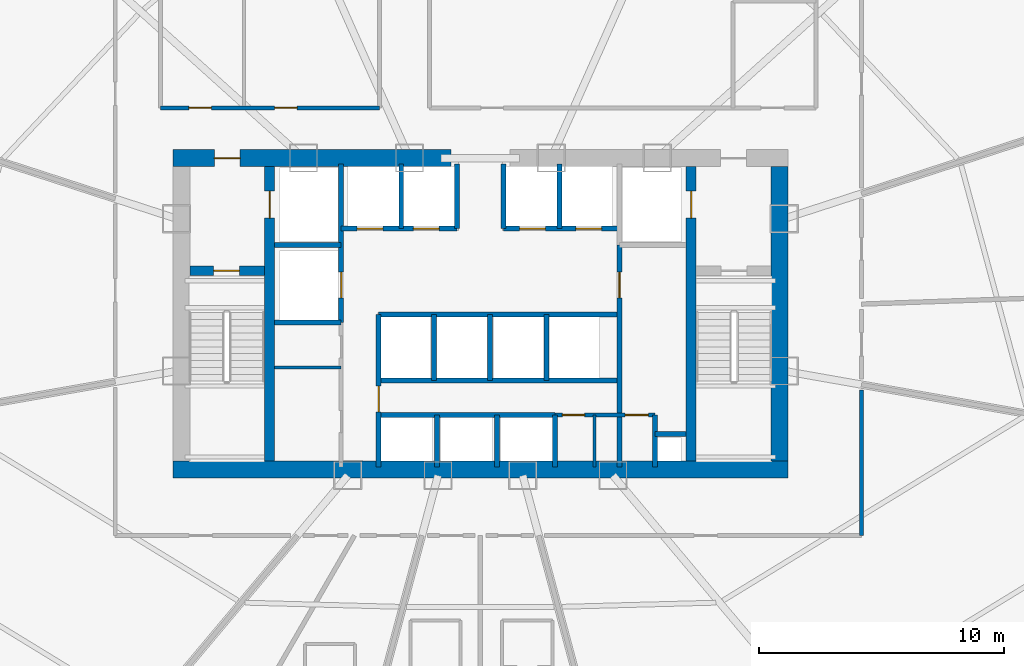
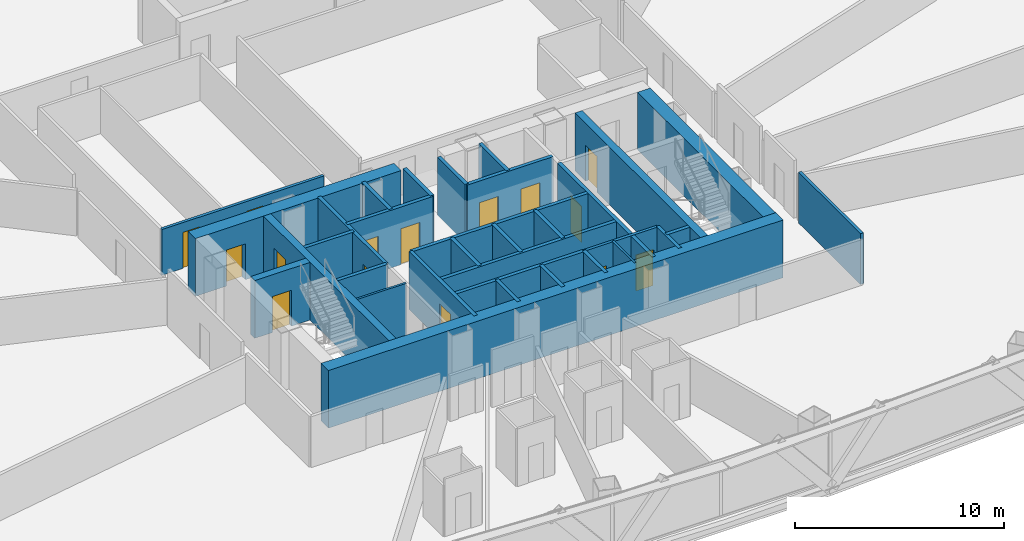
# One storey, part 34 of 41: 33 walls, 15 doors, 15 openings.
"""IFC4 building model written with IfcOpenShell, lengths in metres."""

from ifc_helpers import new_model, si_unit, direction, frame, frame_2d, origin, origin_with_axes, place, context, subcontext, project, spatial, rectangle, extrude, source, transform, mapped, material, layer, layer_set, type_object, element, fill, save


model = new_model("IFC4")

# Units and contexts
model_context = context("Model", 3, precision=1e-05, world=origin(), true_north=direction((0.0, 1.0)))
body_context = subcontext(model_context, "Body", "Model", "MODEL_VIEW")
ifc_project = project(units=[si_unit("LENGTHUNIT", "METRE"), si_unit("AREAUNIT", "SQUARE_METRE"), si_unit("VOLUMEUNIT", "CUBIC_METRE"), si_unit("PLANEANGLEUNIT", "RADIAN"), si_unit("MASSUNIT", "GRAM", prefix="KILO"), si_unit("THERMODYNAMICTEMPERATUREUNIT", "KELVIN"), si_unit("POWERUNIT", "WATT")], contexts=[model_context])

# Site, building, storey
site_placement = place(None, origin())
site = spatial("IfcSite", under=ifc_project, at=site_placement, CompositionType="ELEMENT")
building_placement = place(site_placement, origin())
building = spatial("IfcBuilding", under=site, at=building_placement, Name="Yunzhuo Pagoda Commons", CompositionType="ELEMENT")
storey_placement = place(building_placement, frame((0.0, 0.0, 63.070068359375)))
storey = spatial("IfcBuildingStorey", under=building, at=storey_placement, Name="L16", CompositionType="ELEMENT", Elevation=63.070068359375)

# Wall
ifc_material_1 = material(Name="Concrete C60", Category="concrete")
ifc_layer_1 = layer(ifc_material_1, 0.699951171875)
ifc_layer_set_1 = layer_set([ifc_layer_1], Name="Concrete C60")
wall_type_1 = type_object("IfcWallType", Name="W-C01 Lower Core Shear Wall 700", PredefinedType="SHEAR", material=ifc_layer_set_1)
wall_1_placement = place(storey_placement, frame((35.449951171875, 27.5, 0.0), z_axis=(0.0, 0.0, 1.0), x_axis=(1.0, 0.0, 0.0)))
element("IfcWall", 1, at=wall_1_placement, inside=storey, type_object=wall_type_1, Name="L16 core shear wall S", PredefinedType="SHEAR", context=body_context, shape_type="SweptSolid", body=[
    extrude(rectangle(XDim=25.10009765625, YDim=0.699951171875, at=frame_2d((12.550048828125, 0.0))), origin(), (0.0, 0.0, 1.0), 3.369873046875),
])

# Wall, opening, door
wall_2_placement = place(storey_placement, frame((35.449951171875, 40.199951171875, 0.0), z_axis=(0.0, 0.0, 1.0), x_axis=(1.0, 0.0, 0.0)))
wall_2 = element("IfcWall", 2, at=wall_2_placement, inside=storey, type_object=wall_type_1, Name="L16 core shear wall NW", PredefinedType="SHEAR", context=body_context, shape_type="SweptSolid", body=[
    extrude(rectangle(XDim=11.35009765625, YDim=0.699951171875, at=frame_2d((5.675048828125, 0.0))), origin(), (0.0, 0.0, 1.0), 3.369873046875),
])
opening_1_placement = place(wall_2_placement, frame((1.699951171875, 0.0, 0.0)))
opening_1 = element("IfcOpeningElement", 3, at=opening_1_placement, cuts=wall_2, Name="Opening D-02", PredefinedType="OPENING", context=body_context, shape_type="SweptSolid", body=[
    extrude(rectangle(XDim=1.050048828125, YDim=2.10009765625, at=frame_2d((0.52490234375, 1.050048828125))), frame((0.0, 0.35986328125, 0.0), z_axis=(0.0, -1.0, 0.0), x_axis=(1.0, 0.0, 0.0)), (0.0, 0.0, 1.0), 0.719970703125),
])
ifc_material_2 = material(Name="Galvanized fire-resisting metal leaf")
door_type_1 = type_object("IfcDoorType", Name="D-02 Firefighting Lobby & Refuge Fire Door 1050x2100", OperationType="NOTDEFINED", PredefinedType="DOOR", material=ifc_material_2)
shared_shape_1 = source(origin(), body_context, "Body", "SweptSolid", [
    extrude(rectangle(XDim=1.050048828125, YDim=2.10009765625, at=frame_2d((0.52490234375, 1.050048828125))), frame((0.0, 0.02490234375, 0.0), z_axis=(0.0, -1.0, 0.0), x_axis=(1.0, 0.0, 0.0)), (0.0, 0.0, 1.0), 0.050048828125),
])
door_1_placement = place(opening_1_placement, frame((1.050048828125, 0.0, 0.0), z_axis=(0.0, 0.0, 1.0), x_axis=(-1.0, 0.0, 0.0)))
door_1 = element("IfcDoor", 4, at=door_1_placement, inside=storey, type_object=door_type_1, Name="L16 Firefighting Lobby 1 fire door", OperationType="SINGLE_SWING_LEFT", OverallHeight=2.10009765625, OverallWidth=1.050048828125, PredefinedType="DOOR", context=body_context, shape_type="MappedRepresentation", body=[
    mapped(shared_shape_1, transform((0.0, 0.0, 0.0), scale=1.0)),
])
fill(opening_1, door_1)

# Wall
wall_3_placement = place(storey_placement, frame((60.199951171875, 27.85009765625, 0.0), z_axis=(0.0, 0.0, 1.0), x_axis=(0.0, 1.0, 0.0)))
element("IfcWall", 5, at=wall_3_placement, inside=storey, type_object=wall_type_1, Name="L16 core shear wall E", PredefinedType="SHEAR", context=body_context, shape_type="SweptSolid", body=[
    extrude(rectangle(XDim=12.0, YDim=0.699951171875, at=frame_2d((6.0, 0.0))), origin(), (0.0, 0.0, 1.0), 3.369873046875),
])

# Wall, openings, doors
ifc_material_3 = material(Name="Gypsum plasterboard on acoustic stud")
ifc_layer_2 = layer(ifc_material_3, 0.159912109375)
ifc_layer_set_2 = layer_set([ifc_layer_2], Name="Gypsum plasterboard on acoustic stud")
wall_type_2 = type_object("IfcWallType", Name="W-COR1 Tower Rated Corridor Wall 160", PredefinedType="PARTITIONING", material=ifc_layer_set_2)
wall_4_placement = place(storey_placement, frame((51.050048828125, 29.719970703125, 0.0), z_axis=(0.0, 0.0, 1.0), x_axis=(1.0, 0.0, 0.0)))
wall_4 = element("IfcWall", 6, at=wall_4_placement, inside=storey, type_object=wall_type_2, Name="L16 interior wall IW-L16-CSES", PredefinedType="PARTITIONING", context=body_context, shape_type="SweptSolid", body=[
    extrude(rectangle(XDim=4.070068359375, YDim=0.159912109375, at=frame_2d((2.03515625, 0.0))), origin(), (0.0, 0.0, 1.0), 3.369873046875),
])
opening_2_placement = place(wall_4_placement, frame((0.300048828125, 0.0, 0.0)))
opening_2 = element("IfcOpeningElement", 7, at=opening_2_placement, cuts=wall_4, Name="Opening D-03", PredefinedType="OPENING", context=body_context, shape_type="SweptSolid", body=[
    extrude(rectangle(XDim=0.89990234375, YDim=2.10009765625, at=frame_2d((0.449951171875, 1.050048828125))), frame((0.0, 0.08984375, 0.0), z_axis=(0.0, -1.0, 0.0), x_axis=(1.0, 0.0, 0.0)), (0.0, 0.0, 1.0), 0.179931640625),
])
opening_3_placement = place(wall_4_placement, frame((2.860107421875, 0.0, 0.0)))
opening_3 = element("IfcOpeningElement", 8, at=opening_3_placement, cuts=wall_4, Name="Opening D-11", PredefinedType="OPENING", context=body_context, shape_type="SweptSolid", body=[
    extrude(rectangle(XDim=0.93994140625, YDim=2.10009765625, at=frame_2d((0.469970703125, 1.050048828125))), frame((0.0, 0.08984375, 0.0), z_axis=(0.0, -1.0, 0.0), x_axis=(1.0, 0.0, 0.0)), (0.0, 0.0, 1.0), 0.179931640625),
])
door_type_2 = type_object("IfcDoorType", Name="D-03 Core Service Fire Door 900x2100", OperationType="NOTDEFINED", PredefinedType="DOOR", material=ifc_material_2)
shared_shape_2 = source(origin(), body_context, "Body", "SweptSolid", [
    extrude(rectangle(XDim=0.89990234375, YDim=2.10009765625, at=frame_2d((0.449951171875, 1.050048828125))), frame((0.0, 0.02490234375, 0.0), z_axis=(0.0, -1.0, 0.0), x_axis=(1.0, 0.0, 0.0)), (0.0, 0.0, 1.0), 0.050048828125),
])
door_2_placement = place(opening_2_placement, origin_with_axes())
door_2 = element("IfcDoor", 9, at=door_2_placement, inside=storey, type_object=door_type_2, Name="L16 cleaner door", OperationType="SINGLE_SWING_LEFT", OverallHeight=2.10009765625, OverallWidth=0.89990234375, PredefinedType="DOOR", context=body_context, shape_type="MappedRepresentation", body=[
    mapped(shared_shape_2, transform((0.0, 0.0, 0.0), scale=1.0)),
])
fill(opening_2, door_2)
door_type_3 = type_object("IfcDoorType", Name="D-11 Accessible Washroom Fire Door 940x2100", OperationType="NOTDEFINED", PredefinedType="DOOR", material=ifc_material_2)
shared_shape_3 = source(origin(), body_context, "Body", "SweptSolid", [
    extrude(rectangle(XDim=0.93994140625, YDim=2.10009765625, at=frame_2d((0.469970703125, 1.050048828125))), frame((0.0, 0.02490234375, 0.0), z_axis=(0.0, -1.0, 0.0), x_axis=(1.0, 0.0, 0.0)), (0.0, 0.0, 1.0), 0.050048828125),
])
door_3_placement = place(opening_3_placement, origin_with_axes())
door_3 = element("IfcDoor", 10, at=door_3_placement, inside=storey, type_object=door_type_3, Name="L16 core WC door", OperationType="SINGLE_SWING_RIGHT", OverallHeight=2.10009765625, OverallWidth=0.93994140625, PredefinedType="DOOR", context=body_context, shape_type="MappedRepresentation", body=[
    mapped(shared_shape_3, transform((0.0, 0.0, 0.0), scale=1.0)),
])
fill(opening_3, door_3)

wall_5_placement = place(storey_placement, frame((34.949951171875, 42.25, 0.0), z_axis=(0.0, 0.0, 1.0), x_axis=(1.0, 0.0, 0.0)))
wall_5 = element("IfcWall", 11, at=wall_5_placement, inside=storey, type_object=wall_type_2, Name="L16 interior wall IW-L16-ISLWS", PredefinedType="PARTITIONING", context=body_context, shape_type="SweptSolid", body=[
    extrude(rectangle(XDim=8.929931640625, YDim=0.159912109375, at=frame_2d((4.46484375, 0.0))), origin(), (0.0, 0.0, 1.0), 2.669921875),
])
opening_4_placement = place(wall_5_placement, frame((1.14990234375, 0.0, 0.0)))
opening_4 = element("IfcOpeningElement", 12, at=opening_4_placement, cuts=wall_5, Name="Opening D-04", PredefinedType="OPENING", context=body_context, shape_type="SweptSolid", body=[
    extrude(rectangle(XDim=0.919921875, YDim=2.10009765625, at=frame_2d((0.4599609375, 1.050048828125))), frame((0.0, 0.08984375, 0.0), z_axis=(0.0, -1.0, 0.0), x_axis=(1.0, 0.0, 0.0)), (0.0, 0.0, 1.0), 0.179931640625),
])
opening_5_placement = place(wall_5_placement, frame((4.64990234375, 0.0, 0.0)))
opening_5 = element("IfcOpeningElement", 13, at=opening_5_placement, cuts=wall_5, Name="Opening D-04", PredefinedType="OPENING", context=body_context, shape_type="SweptSolid", body=[
    extrude(rectangle(XDim=0.919921875, YDim=2.10009765625, at=frame_2d((0.4599609375, 1.050048828125))), frame((0.0, 0.08984375, 0.0), z_axis=(0.0, -1.0, 0.0), x_axis=(1.0, 0.0, 0.0)), (0.0, 0.0, 1.0), 0.179931640625),
])
ifc_material_4 = material(Name="Powder-coated aluminium and timber acoustic leaf", Category="wood")
door_type_4 = type_object("IfcDoorType", Name="D-04 Bedroom & Study Interior Door 920x2100", OperationType="NOTDEFINED", PredefinedType="DOOR", material=ifc_material_4)
shared_shape_4 = source(origin(), body_context, "Body", "SweptSolid", [
    extrude(rectangle(XDim=0.919921875, YDim=2.10009765625, at=frame_2d((0.4599609375, 1.050048828125))), frame((0.0, 0.02490234375, 0.0), z_axis=(0.0, -1.0, 0.0), x_axis=(1.0, 0.0, 0.0)), (0.0, 0.0, 1.0), 0.050048828125),
])
door_4_placement = place(opening_4_placement, frame((0.919921875, 0.0, 0.0), z_axis=(0.0, 0.0, 1.0), x_axis=(-1.0, 0.0, 0.0)))
door_4 = element("IfcDoor", 14, at=door_4_placement, inside=storey, type_object=door_type_4, Name="L16 laundry door", OperationType="SINGLE_SWING_LEFT", OverallHeight=2.10009765625, OverallWidth=0.919921875, PredefinedType="DOOR", context=body_context, shape_type="MappedRepresentation", body=[
    mapped(shared_shape_4, transform((0.0, 0.0, 0.0), scale=1.0)),
])
fill(opening_4, door_4)
door_5_placement = place(opening_5_placement, frame((0.919921875, 0.0, 0.0), z_axis=(0.0, 0.0, 1.0), x_axis=(-1.0, 0.0, 0.0)))
door_5 = element("IfcDoor", 15, at=door_5_placement, inside=storey, type_object=door_type_4, Name="L16 study commons W door", OperationType="SINGLE_SWING_RIGHT", OverallHeight=2.10009765625, OverallWidth=0.919921875, PredefinedType="DOOR", context=body_context, shape_type="MappedRepresentation", body=[
    mapped(shared_shape_4, transform((0.0, 0.0, 0.0), scale=1.0)),
])
fill(opening_5, door_5)

# Walls
wall_6_placement = place(storey_placement, frame((63.550048828125, 30.734619140625, 0.0), z_axis=(0.0, 0.0, 1.0), x_axis=(0.0, -1.0, 0.0)))
element("IfcWall", 16, at=wall_6_placement, inside=storey, type_object=wall_type_2, Name="L16 interior wall IW-L16-CWL12", PredefinedType="PARTITIONING", context=body_context, shape_type="SweptSolid", body=[
    extrude(rectangle(XDim=5.9345703125, YDim=0.159912109375, at=frame_2d((2.96728515625, 0.0))), origin(), (0.0, 0.0, 1.0), 2.969970703125),
])
ifc_layer_3 = layer(ifc_material_3, 0.1201171875)
ifc_layer_set_3 = layer_set([ifc_layer_3], Name="Gypsum plasterboard on acoustic stud")
wall_type_3 = type_object("IfcWallType", Name="W-PRT1 Suite & Bathroom Partition 120", PredefinedType="PARTITIONING", material=ifc_layer_set_3)
wall_7_placement = place(storey_placement, frame((39.60009765625, 31.64990234375, 0.0), z_axis=(0.0, 0.0, 1.0), x_axis=(1.0, 0.0, 0.0)))
element("IfcWall", 17, at=wall_7_placement, inside=storey, type_object=wall_type_3, Name="L16 interior wall IW-L16-CD1", PredefinedType="PARTITIONING", context=body_context, shape_type="SweptSolid", body=[
    extrude(rectangle(XDim=2.719970703125, YDim=0.1201171875, at=frame_2d((1.35986328125, 0.0))), origin(), (0.0, 0.0, 1.0), 3.369873046875),
])
wall_8_placement = place(storey_placement, frame((52.64990234375, 27.60009765625, 0.0), z_axis=(0.0, 0.0, 1.0), x_axis=(0.0, 1.0, 0.0)))
element("IfcWall", 18, at=wall_8_placement, inside=storey, type_object=wall_type_3, Name="L16 interior wall IW-L16-CD2", PredefinedType="PARTITIONING", context=body_context, shape_type="SweptSolid", body=[
    extrude(rectangle(XDim=2.119873046875, YDim=0.1201171875, at=frame_2d((1.06005859375, 0.0))), origin(), (0.0, 0.0, 1.0), 3.369873046875),
])

# Wall, opening, door
ifc_layer_4 = layer(ifc_material_1, 0.39990234375)
ifc_layer_set_4 = layer_set([ifc_layer_4], Name="Concrete C60")
wall_type_4 = type_object("IfcWallType", Name="W-S01 Internal Core Shear Web 400", PredefinedType="SHEAR", material=ifc_layer_set_4)
wall_9_placement = place(storey_placement, frame((39.39990234375, 27.85009765625, 0.0), z_axis=(0.0, 0.0, 1.0), x_axis=(0.0, 1.0, 0.0)))
wall_9 = element("IfcWall", 19, at=wall_9_placement, inside=storey, type_object=wall_type_4, Name="L16 core shear wall WEBW", PredefinedType="SHEAR", context=body_context, shape_type="SweptSolid", body=[
    extrude(rectangle(XDim=12.0, YDim=0.39990234375, at=frame_2d((6.0, 0.0))), origin(), (0.0, 0.0, 1.0), 3.369873046875),
])
opening_6_placement = place(wall_9_placement, frame((9.89990234375, 0.0, 0.0)))
opening_6 = element("IfcOpeningElement", 20, at=opening_6_placement, cuts=wall_9, Name="Opening LD-01", PredefinedType="OPENING", context=body_context, shape_type="SweptSolid", body=[
    extrude(rectangle(XDim=1.10009765625, YDim=2.10009765625, at=frame_2d((0.550048828125, 1.050048828125))), frame((0.0, 0.2099609375, 0.0), z_axis=(0.0, -1.0, 0.0), x_axis=(1.0, 0.0, 0.0)), (0.0, 0.0, 1.0), 0.419921875),
])
door_type_5 = type_object("IfcDoorType", Name="LD-01 Firefighting Lift Landing Door 1100x2100", OperationType="DOUBLE_DOOR_SLIDING", PredefinedType="DOOR", material=ifc_material_2)
shared_shape_5 = source(origin(), body_context, "Body", "SweptSolid", [
    extrude(rectangle(XDim=1.10009765625, YDim=2.10009765625, at=frame_2d((0.550048828125, 1.050048828125))), frame((0.0, 0.02490234375, 0.0), z_axis=(0.0, -1.0, 0.0), x_axis=(1.0, 0.0, 0.0)), (0.0, 0.0, 1.0), 0.050048828125),
])
door_6_placement = place(opening_6_placement, frame((1.10009765625, 0.0, 0.0), z_axis=(0.0, 0.0, 1.0), x_axis=(-1.0, 0.0, 0.0)))
door_6 = element("IfcDoor", 21, at=door_6_placement, inside=storey, type_object=door_type_5, Name="L16 Firefighting lift FL-1 landing door", OperationType="DOUBLE_DOOR_SLIDING", OverallHeight=2.10009765625, OverallWidth=1.10009765625, PredefinedType="DOOR", context=body_context, shape_type="MappedRepresentation", body=[
    mapped(shared_shape_5, transform((0.0, 0.0, 0.0), scale=1.0)),
])
fill(opening_6, door_6)

wall_10_placement = place(storey_placement, frame((56.60009765625, 27.85009765625, 0.0), z_axis=(0.0, 0.0, 1.0), x_axis=(0.0, 1.0, 0.0)))
wall_10 = element("IfcWall", 22, at=wall_10_placement, inside=storey, type_object=wall_type_4, Name="L16 core shear wall WEBE", PredefinedType="SHEAR", context=body_context, shape_type="SweptSolid", body=[
    extrude(rectangle(XDim=12.0, YDim=0.39990234375, at=frame_2d((6.0, 0.0))), origin(), (0.0, 0.0, 1.0), 3.369873046875),
])
opening_7_placement = place(wall_10_placement, frame((9.89990234375, 0.0, 0.0)))
opening_7 = element("IfcOpeningElement", 23, at=opening_7_placement, cuts=wall_10, Name="Opening LD-01", PredefinedType="OPENING", context=body_context, shape_type="SweptSolid", body=[
    extrude(rectangle(XDim=1.10009765625, YDim=2.10009765625, at=frame_2d((0.550048828125, 1.050048828125))), frame((0.0, 0.2099609375, 0.0), z_axis=(0.0, -1.0, 0.0), x_axis=(1.0, 0.0, 0.0)), (0.0, 0.0, 1.0), 0.419921875),
])
door_7_placement = place(opening_7_placement, origin_with_axes())
door_7 = element("IfcDoor", 24, at=door_7_placement, inside=storey, type_object=door_type_5, Name="L16 Firefighting lift FL-2 landing door", OperationType="DOUBLE_DOOR_SLIDING", OverallHeight=2.10009765625, OverallWidth=1.10009765625, PredefinedType="DOOR", context=body_context, shape_type="MappedRepresentation", body=[
    mapped(shared_shape_5, transform((0.0, 0.0, 0.0), scale=1.0)),
])
fill(opening_7, door_7)

wall_11_placement = place(storey_placement, frame((36.14990234375, 35.60009765625, 0.0), z_axis=(0.0, 0.0, 1.0), x_axis=(1.0, 0.0, 0.0)))
wall_11 = element("IfcWall", 25, at=wall_11_placement, inside=storey, type_object=wall_type_4, Name="L16 core shear wall STW", PredefinedType="SHEAR", context=body_context, shape_type="SweptSolid", body=[
    extrude(rectangle(XDim=3.050048828125, YDim=0.39990234375, at=frame_2d((1.52490234375, 0.0))), origin(), (0.0, 0.0, 1.0), 3.369873046875),
])
opening_8_placement = place(wall_11_placement, frame((0.969970703125, 0.0, 0.0)))
opening_8 = element("IfcOpeningElement", 26, at=opening_8_placement, cuts=wall_11, Name="Opening D-01", PredefinedType="OPENING", context=body_context, shape_type="SweptSolid", body=[
    extrude(rectangle(XDim=1.050048828125, YDim=2.10009765625, at=frame_2d((0.52490234375, 1.050048828125))), frame((0.0, 0.2099609375, 0.0), z_axis=(0.0, -1.0, 0.0), x_axis=(1.0, 0.0, 0.0)), (0.0, 0.0, 1.0), 0.419921875),
])
door_type_6 = type_object("IfcDoorType", Name="D-01 Smokeproof Stair Fire Door 1050x2100", OperationType="NOTDEFINED", PredefinedType="DOOR", material=ifc_material_2)
door_8_placement = place(opening_8_placement, frame((1.050048828125, 0.0, 0.0), z_axis=(0.0, 0.0, 1.0), x_axis=(-1.0, 0.0, 0.0)))
door_8 = element("IfcDoor", 27, at=door_8_placement, inside=storey, type_object=door_type_6, Name="L16 Stair ST1 fire door", OperationType="SINGLE_SWING_LEFT", OverallHeight=2.10009765625, OverallWidth=1.050048828125, PredefinedType="DOOR", context=body_context, shape_type="MappedRepresentation", body=[
    mapped(shared_shape_1, transform((0.0, 0.0, 0.0), scale=1.0)),
])
fill(opening_8, door_8)

ifc_material_5 = material(Name="Concrete C40", Category="concrete")
ifc_layer_5 = layer(ifc_material_5, 0.199951171875)
ifc_layer_set_5 = layer_set([ifc_layer_5], Name="Concrete C40")
wall_type_5 = type_object("IfcWallType", Name="W-SHF Shaft & Stair Enclosure Wall 200", PredefinedType="SOLIDWALL", material=ifc_layer_set_5)
wall_12_placement = place(storey_placement, frame((42.320068359375, 33.5, 0.0), z_axis=(0.0, 0.0, 1.0), x_axis=(0.0, 1.0, 0.0)))
wall_12 = element("IfcWall", 28, at=wall_12_placement, inside=storey, type_object=wall_type_5, Name="L16 interior wall IW-L16-FL1E", PredefinedType="SOLIDWALL", context=body_context, shape_type="SweptSolid", body=[
    extrude(rectangle(XDim=6.449951171875, YDim=0.199951171875, at=frame_2d((3.22509765625, 0.0))), origin(), (0.0, 0.0, 1.0), 3.369873046875),
])
opening_9_placement = place(wall_12_placement, frame((1.0, 0.0, 0.0)))
opening_9 = element("IfcOpeningElement", 29, at=opening_9_placement, cuts=wall_12, Name="Opening LD-02", PredefinedType="OPENING", context=body_context, shape_type="SweptSolid", body=[
    extrude(rectangle(XDim=1.050048828125, YDim=2.10009765625, at=frame_2d((0.52490234375, 1.050048828125))), frame((0.0, 0.10986328125, 0.0), z_axis=(0.0, -1.0, 0.0), x_axis=(1.0, 0.0, 0.0)), (0.0, 0.0, 1.0), 0.219970703125),
])
door_type_7 = type_object("IfcDoorType", Name="LD-02 Passenger Lift Landing Door 1050x2100", OperationType="DOUBLE_DOOR_SLIDING", PredefinedType="DOOR", material=ifc_material_2)
door_9_placement = place(opening_9_placement, origin_with_axes())
door_9 = element("IfcDoor", 30, at=door_9_placement, inside=storey, type_object=door_type_7, Name="L16 Service lift SL-1 landing door", OperationType="DOUBLE_DOOR_SLIDING", OverallHeight=2.10009765625, OverallWidth=1.050048828125, PredefinedType="DOOR", context=body_context, shape_type="MappedRepresentation", body=[
    mapped(shared_shape_1, transform((0.0, 0.0, 0.0), scale=1.0)),
])
fill(opening_9, door_9)

# Walls
for number, where, z_axis, x_axis, name in (
    (31, (39.60009765625, 36.64990234375, 0.0), (0.0, 0.0, 1.0), (1.0, 0.0, 0.0), "L16 interior wall IW-L16-FL1S"),
    (32, (39.60009765625, 33.5, 0.0), (0.0, 0.0, 1.0), (1.0, 0.0, 0.0), "L16 interior wall IW-L16-SL1S"),
):
    element("IfcWall", number, at=place(storey_placement, frame(where, z_axis=z_axis, x_axis=x_axis)), inside=storey, type_object=wall_type_5, Name=name, PredefinedType="SOLIDWALL", context=body_context, shape_type="SweptSolid", body=[
        extrude(rectangle(XDim=2.719970703125, YDim=0.199951171875, at=frame_2d((1.35986328125, 0.0))), origin(), (0.0, 0.0, 1.0), 3.369873046875),
    ])

# Wall, openings, doors
wall_13_placement = place(storey_placement, frame((42.320068359375, 37.320068359375, 0.0), z_axis=(0.0, 0.0, 1.0), x_axis=(1.0, 0.0, 0.0)))
wall_13 = element("IfcWall", 33, at=wall_13_placement, inside=storey, type_object=wall_type_5, Name="L16 interior wall IW-L16-LBNW", PredefinedType="SOLIDWALL", context=body_context, shape_type="SweptSolid", body=[
    extrude(rectangle(XDim=4.72998046875, YDim=0.199951171875, at=frame_2d((2.364990234375, 0.0))), origin(), (0.0, 0.0, 1.0), 3.369873046875),
])
opening_10_placement = place(wall_13_placement, frame((0.64990234375, 0.0, 0.0)))
opening_10 = element("IfcOpeningElement", 34, at=opening_10_placement, cuts=wall_13, Name="Opening LD-02", PredefinedType="OPENING", context=body_context, shape_type="SweptSolid", body=[
    extrude(rectangle(XDim=1.050048828125, YDim=2.10009765625, at=frame_2d((0.52490234375, 1.050048828125))), frame((0.0, 0.10986328125, 0.0), z_axis=(0.0, -1.0, 0.0), x_axis=(1.0, 0.0, 0.0)), (0.0, 0.0, 1.0), 0.219970703125),
])
opening_11_placement = place(wall_13_placement, frame((2.949951171875, 0.0, 0.0)))
opening_11 = element("IfcOpeningElement", 35, at=opening_11_placement, cuts=wall_13, Name="Opening LD-02", PredefinedType="OPENING", context=body_context, shape_type="SweptSolid", body=[
    extrude(rectangle(XDim=1.050048828125, YDim=2.10009765625, at=frame_2d((0.52490234375, 1.050048828125))), frame((0.0, 0.10986328125, 0.0), z_axis=(0.0, -1.0, 0.0), x_axis=(1.0, 0.0, 0.0)), (0.0, 0.0, 1.0), 0.219970703125),
])
door_10_placement = place(opening_10_placement, frame((1.050048828125, 0.0, 0.0), z_axis=(0.0, 0.0, 1.0), x_axis=(-1.0, 0.0, 0.0)))
door_10 = element("IfcDoor", 36, at=door_10_placement, inside=storey, type_object=door_type_7, Name="L16 Passenger lift PL-L1 landing door", OperationType="DOUBLE_DOOR_SLIDING", OverallHeight=2.10009765625, OverallWidth=1.050048828125, PredefinedType="DOOR", context=body_context, shape_type="MappedRepresentation", body=[
    mapped(shared_shape_1, transform((0.0, 0.0, 0.0), scale=1.0)),
])
fill(opening_10, door_10)
door_11_placement = place(opening_11_placement, frame((1.050048828125, 0.0, 0.0), z_axis=(0.0, 0.0, 1.0), x_axis=(-1.0, 0.0, 0.0)))
door_11 = element("IfcDoor", 37, at=door_11_placement, inside=storey, type_object=door_type_7, Name="L16 Passenger lift PL-L2 landing door", OperationType="DOUBLE_DOOR_SLIDING", OverallHeight=2.10009765625, OverallWidth=1.050048828125, PredefinedType="DOOR", context=body_context, shape_type="MappedRepresentation", body=[
    mapped(shared_shape_1, transform((0.0, 0.0, 0.0), scale=1.0)),
])
fill(opening_11, door_11)

wall_14_placement = place(storey_placement, frame((48.949951171875, 37.320068359375, 0.0), z_axis=(0.0, 0.0, 1.0), x_axis=(1.0, 0.0, 0.0)))
wall_14 = element("IfcWall", 38, at=wall_14_placement, inside=storey, type_object=wall_type_5, Name="L16 interior wall IW-L16-LBNE", PredefinedType="SOLIDWALL", context=body_context, shape_type="SweptSolid", body=[
    extrude(rectangle(XDim=4.72998046875, YDim=0.199951171875, at=frame_2d((2.364990234375, 0.0))), origin(), (0.0, 0.0, 1.0), 3.369873046875),
])
opening_12_placement = place(wall_14_placement, frame((0.64990234375, 0.0, 0.0)))
opening_12 = element("IfcOpeningElement", 39, at=opening_12_placement, cuts=wall_14, Name="Opening LD-02", PredefinedType="OPENING", context=body_context, shape_type="SweptSolid", body=[
    extrude(rectangle(XDim=1.050048828125, YDim=2.10009765625, at=frame_2d((0.52490234375, 1.050048828125))), frame((0.0, 0.10986328125, 0.0), z_axis=(0.0, -1.0, 0.0), x_axis=(1.0, 0.0, 0.0)), (0.0, 0.0, 1.0), 0.219970703125),
])
opening_13_placement = place(wall_14_placement, frame((2.949951171875, 0.0, 0.0)))
opening_13 = element("IfcOpeningElement", 40, at=opening_13_placement, cuts=wall_14, Name="Opening LD-02", PredefinedType="OPENING", context=body_context, shape_type="SweptSolid", body=[
    extrude(rectangle(XDim=1.050048828125, YDim=2.10009765625, at=frame_2d((0.52490234375, 1.050048828125))), frame((0.0, 0.10986328125, 0.0), z_axis=(0.0, -1.0, 0.0), x_axis=(1.0, 0.0, 0.0)), (0.0, 0.0, 1.0), 0.219970703125),
])
door_12_placement = place(opening_12_placement, frame((1.050048828125, 0.0, 0.0), z_axis=(0.0, 0.0, 1.0), x_axis=(-1.0, 0.0, 0.0)))
door_12 = element("IfcDoor", 41, at=door_12_placement, inside=storey, type_object=door_type_7, Name="L16 Passenger lift PL-L3 landing door", OperationType="DOUBLE_DOOR_SLIDING", OverallHeight=2.10009765625, OverallWidth=1.050048828125, PredefinedType="DOOR", context=body_context, shape_type="MappedRepresentation", body=[
    mapped(shared_shape_1, transform((0.0, 0.0, 0.0), scale=1.0)),
])
fill(opening_12, door_12)
door_13_placement = place(opening_13_placement, frame((1.050048828125, 0.0, 0.0), z_axis=(0.0, 0.0, 1.0), x_axis=(-1.0, 0.0, 0.0)))
door_13 = element("IfcDoor", 42, at=door_13_placement, inside=storey, type_object=door_type_7, Name="L16 Passenger lift PL-L4 landing door", OperationType="DOUBLE_DOOR_SLIDING", OverallHeight=2.10009765625, OverallWidth=1.050048828125, PredefinedType="DOOR", context=body_context, shape_type="MappedRepresentation", body=[
    mapped(shared_shape_1, transform((0.0, 0.0, 0.0), scale=1.0)),
])
fill(opening_13, door_13)

# Walls
for number, where, z_axis, x_axis, name in (
    (43, (47.050048828125, 37.320068359375, 0.0), (0.0, 0.0, 1.0), (0.0, 1.0, 0.0), "L16 interior wall IW-L16-THRW"),
    (44, (48.949951171875, 37.320068359375, 0.0), (0.0, 0.0, 1.0), (0.0, 1.0, 0.0), "L16 interior wall IW-L16-THRE"),
    (45, (44.77001953125, 37.320068359375, 0.0), (0.0, 0.0, 1.0), (0.0, 1.0, 0.0), "L16 interior wall IW-L16-PLL12"),
    (46, (51.22998046875, 37.320068359375, 0.0), (0.0, 0.0, 1.0), (0.0, 1.0, 0.0), "L16 interior wall IW-L16-PLL34"),
):
    element("IfcWall", number, at=place(storey_placement, frame(where, z_axis=z_axis, x_axis=x_axis)), inside=storey, type_object=wall_type_5, Name=name, PredefinedType="SOLIDWALL", context=body_context, shape_type="SweptSolid", body=[
        extrude(rectangle(XDim=2.6298828125, YDim=0.199951171875, at=frame_2d((1.31494140625, 0.0))), origin(), (0.0, 0.0, 1.0), 3.369873046875),
    ])
wall_15_placement = place(storey_placement, frame((43.85009765625, 33.820068359375, 0.0), z_axis=(0.0, 0.0, 1.0), x_axis=(1.0, 0.0, 0.0)))
element("IfcWall", 47, at=wall_15_placement, inside=storey, type_object=wall_type_5, Name="L16 interior wall IW-L16-MLBS", PredefinedType="SOLIDWALL", context=body_context, shape_type="SweptSolid", body=[
    extrude(rectangle(XDim=9.829833984375, YDim=0.199951171875, at=frame_2d((4.9150390625, 0.0))), origin(), (0.0, 0.0, 1.0), 3.369873046875),
])

# Wall, opening, door
wall_16_placement = place(storey_placement, frame((43.85009765625, 27.60009765625, 0.0), z_axis=(0.0, 0.0, 1.0), x_axis=(0.0, 1.0, 0.0)))
wall_16 = element("IfcWall", 48, at=wall_16_placement, inside=storey, type_object=wall_type_5, Name="L16 interior wall IW-L16-PLMW", PredefinedType="SOLIDWALL", context=body_context, shape_type="SweptSolid", body=[
    extrude(rectangle(XDim=6.219970703125, YDim=0.199951171875, at=frame_2d((3.10986328125, 0.0))), origin(), (0.0, 0.0, 1.0), 3.369873046875),
])
opening_14_placement = place(wall_16_placement, frame((2.25, 0.0, 0.0)))
opening_14 = element("IfcOpeningElement", 49, at=opening_14_placement, cuts=wall_16, Name="Opening D-02", PredefinedType="OPENING", context=body_context, shape_type="SweptSolid", body=[
    extrude(rectangle(XDim=1.050048828125, YDim=2.10009765625, at=frame_2d((0.52490234375, 1.050048828125))), frame((0.0, 0.10986328125, 0.0), z_axis=(0.0, -1.0, 0.0), x_axis=(1.0, 0.0, 0.0)), (0.0, 0.0, 1.0), 0.219970703125),
])
door_14_placement = place(opening_14_placement, frame((1.050048828125, 0.0, 0.0), z_axis=(0.0, 0.0, 1.0), x_axis=(-1.0, 0.0, 0.0)))
door_14 = element("IfcDoor", 50, at=door_14_placement, inside=storey, type_object=door_type_1, Name="L16 High-bank hall west door", OperationType="SINGLE_SWING_LEFT", OverallHeight=2.10009765625, OverallWidth=1.050048828125, PredefinedType="DOOR", context=body_context, shape_type="MappedRepresentation", body=[
    mapped(shared_shape_1, transform((0.0, 0.0, 0.0), scale=1.0)),
])
fill(opening_14, door_14)

wall_17_placement = place(storey_placement, frame((53.679931640625, 27.60009765625, 0.0), z_axis=(0.0, 0.0, 1.0), x_axis=(0.0, 1.0, 0.0)))
wall_17 = element("IfcWall", 51, at=wall_17_placement, inside=storey, type_object=wall_type_5, Name="L16 interior wall IW-L16-PLME", PredefinedType="SOLIDWALL", context=body_context, shape_type="SweptSolid", body=[
    extrude(rectangle(XDim=9.0498046875, YDim=0.199951171875, at=frame_2d((4.52490234375, 0.0))), origin(), (0.0, 0.0, 1.0), 3.369873046875),
])
opening_15_placement = place(wall_17_placement, frame((6.89990234375, 0.0, 0.0)))
opening_15 = element("IfcOpeningElement", 52, at=opening_15_placement, cuts=wall_17, Name="Opening D-02", PredefinedType="OPENING", context=body_context, shape_type="SweptSolid", body=[
    extrude(rectangle(XDim=1.050048828125, YDim=2.10009765625, at=frame_2d((0.52490234375, 1.050048828125))), frame((0.0, 0.10986328125, 0.0), z_axis=(0.0, -1.0, 0.0), x_axis=(1.0, 0.0, 0.0)), (0.0, 0.0, 1.0), 0.219970703125),
])
door_15_placement = place(opening_15_placement, origin_with_axes())
door_15 = element("IfcDoor", 53, at=door_15_placement, inside=storey, type_object=door_type_1, Name="L16 High-bank lift hall door", OperationType="SINGLE_SWING_RIGHT", OverallHeight=2.10009765625, OverallWidth=1.050048828125, PredefinedType="DOOR", context=body_context, shape_type="MappedRepresentation", body=[
    mapped(shared_shape_1, transform((0.0, 0.0, 0.0), scale=1.0)),
])
fill(opening_15, door_15)

# Walls
for number, where, z_axis, x_axis, name in (
    (54, (46.10009765625, 31.1201171875, 0.0), (0.0, 0.0, 1.0), (0.0, 1.0, 0.0), "L16 interior wall IW-L16-PLMD1"),
    (55, (48.39990234375, 31.1201171875, 0.0), (0.0, 0.0, 1.0), (0.0, 1.0, 0.0), "L16 interior wall IW-L16-PLMD2"),
    (56, (50.699951171875, 31.1201171875, 0.0), (0.0, 0.0, 1.0), (0.0, 1.0, 0.0), "L16 interior wall IW-L16-PLMD3"),
):
    element("IfcWall", number, at=place(storey_placement, frame(where, z_axis=z_axis, x_axis=x_axis)), inside=storey, type_object=wall_type_5, Name=name, PredefinedType="SOLIDWALL", context=body_context, shape_type="SweptSolid", body=[
        extrude(rectangle(XDim=2.699951171875, YDim=0.199951171875, at=frame_2d((1.35009765625, 0.0))), origin(), (0.0, 0.0, 1.0), 3.369873046875),
    ])
wall_18_placement = place(storey_placement, frame((43.85009765625, 29.719970703125, 0.0), z_axis=(0.0, 0.0, 1.0), x_axis=(1.0, 0.0, 0.0)))
element("IfcWall", 57, at=wall_18_placement, inside=storey, type_object=wall_type_5, Name="L16 interior wall IW-L16-PLHN", PredefinedType="SOLIDWALL", context=body_context, shape_type="SweptSolid", body=[
    extrude(rectangle(XDim=7.199951171875, YDim=0.199951171875, at=frame_2d((3.60009765625, 0.0))), origin(), (0.0, 0.0, 1.0), 3.369873046875),
])
wall_19_placement = place(storey_placement, frame((51.050048828125, 27.60009765625, 0.0), z_axis=(0.0, 0.0, 1.0), x_axis=(0.0, 1.0, 0.0)))
element("IfcWall", 58, at=wall_19_placement, inside=storey, type_object=wall_type_5, Name="L16 interior wall IW-L16-PLHE", PredefinedType="SOLIDWALL", context=body_context, shape_type="SweptSolid", body=[
    extrude(rectangle(XDim=2.119873046875, YDim=0.199951171875, at=frame_2d((1.06005859375, 0.0))), origin(), (0.0, 0.0, 1.0), 3.369873046875),
])
wall_20_placement = place(storey_placement, frame((43.85009765625, 31.1201171875, 0.0), z_axis=(0.0, 0.0, 1.0), x_axis=(1.0, 0.0, 0.0)))
element("IfcWall", 59, at=wall_20_placement, inside=storey, type_object=wall_type_5, Name="L16 interior wall IW-L16-PLMS2", PredefinedType="SOLIDWALL", context=body_context, shape_type="SweptSolid", body=[
    extrude(rectangle(XDim=9.829833984375, YDim=0.199951171875, at=frame_2d((4.9150390625, 0.0))), origin(), (0.0, 0.0, 1.0), 3.369873046875),
])
for number, where, z_axis, x_axis, name in (
    (60, (46.22509765625, 27.60009765625, 0.0), (0.0, 0.0, 1.0), (0.0, 1.0, 0.0), "L16 interior wall IW-L16-PLHD1"),
    (61, (48.675048828125, 27.60009765625, 0.0), (0.0, 0.0, 1.0), (0.0, 1.0, 0.0), "L16 interior wall IW-L16-PLHD2"),
    (62, (55.1201171875, 27.60009765625, 0.0), (0.0, 0.0, 1.0), (0.0, 1.0, 0.0), "L16 interior wall IW-L16-RSHFW"),
):
    element("IfcWall", number, at=place(storey_placement, frame(where, z_axis=z_axis, x_axis=x_axis)), inside=storey, type_object=wall_type_5, Name=name, PredefinedType="SOLIDWALL", context=body_context, shape_type="SweptSolid", body=[
        extrude(rectangle(XDim=2.119873046875, YDim=0.199951171875, at=frame_2d((1.06005859375, 0.0))), origin(), (0.0, 0.0, 1.0), 3.369873046875),
    ])
wall_21_placement = place(storey_placement, frame((55.1201171875, 28.949951171875, 0.0), z_axis=(0.0, 0.0, 1.0), x_axis=(1.0, 0.0, 0.0)))
element("IfcWall", 63, at=wall_21_placement, inside=storey, type_object=wall_type_5, Name="L16 interior wall IW-L16-RSHFN", PredefinedType="SOLIDWALL", context=body_context, shape_type="SweptSolid", body=[
    extrude(rectangle(XDim=1.27978515625, YDim=0.199951171875, at=frame_2d((0.639892578125, 0.0))), origin(), (0.0, 0.0, 1.0), 3.369873046875),
])

save(model, "model.ifc")
